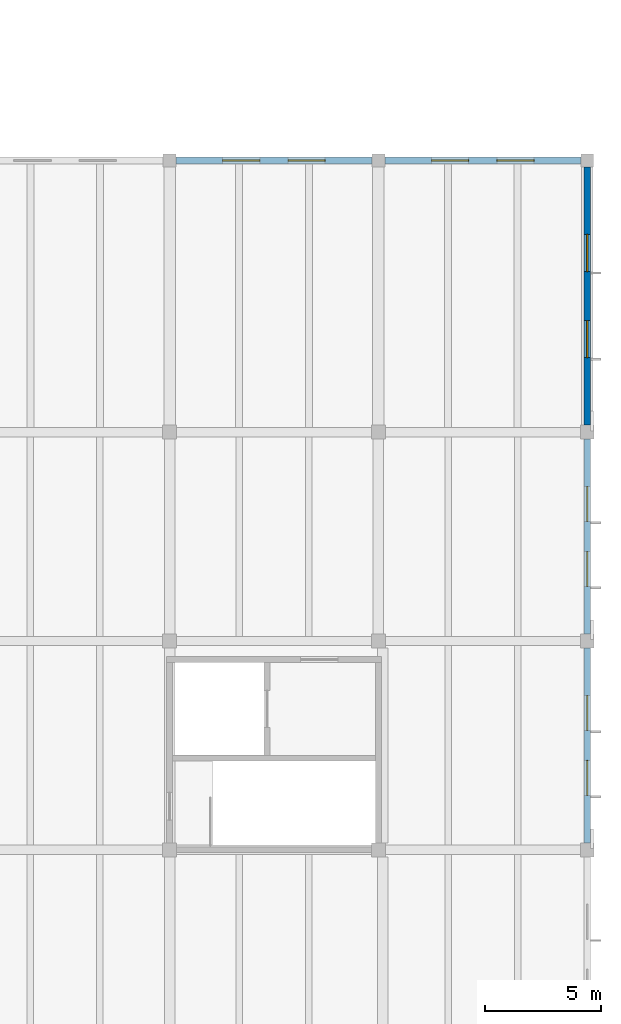
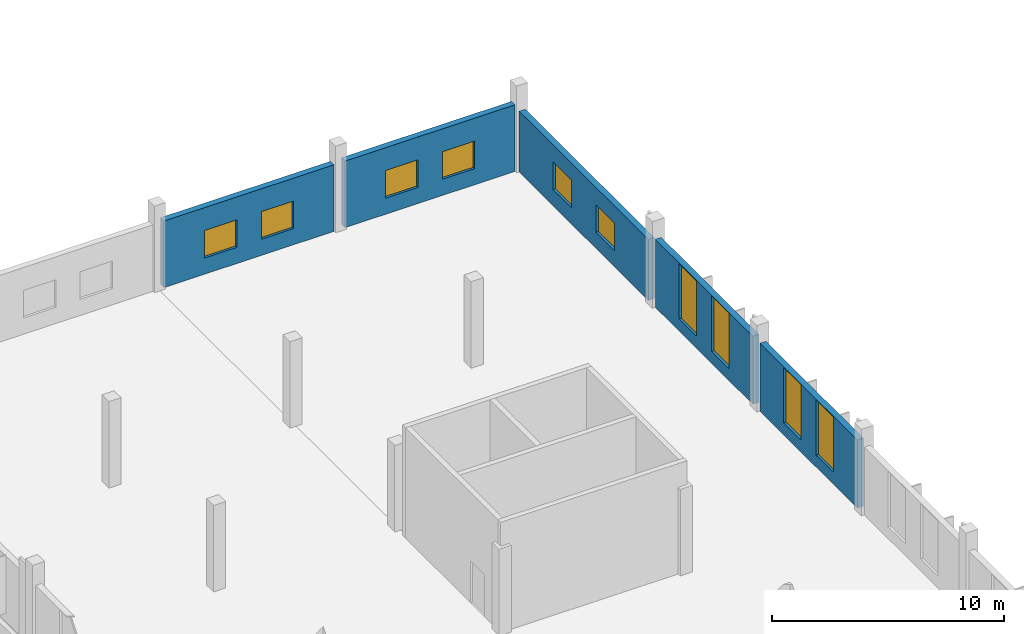
# One storey, part 16 of 25: 10 windows, 5 walls, 10 openings.
"""IFC4 building model written with IfcOpenShell, lengths in metres."""

from ifc_helpers import new_model, si_unit, direction, frame, frame_2d, origin, place, context, subcontext, project, spatial, rectangle, extrude, material, layer, layer_set, type_object, element, fill, save


model = new_model("IFC4")

# Units and contexts
model_context = context("Model", 3, precision=1e-05, world=origin(), true_north=direction((0.0, 1.0)))
body_context = subcontext(model_context, "Body", "Model", "MODEL_VIEW")
ifc_project = project(units=[si_unit("LENGTHUNIT", "METRE"), si_unit("AREAUNIT", "SQUARE_METRE"), si_unit("VOLUMEUNIT", "CUBIC_METRE"), si_unit("PLANEANGLEUNIT", "RADIAN"), si_unit("MASSUNIT", "GRAM", prefix="KILO")], contexts=[model_context])

# Site, building, storey
site_placement = place(None, origin())
site = spatial("IfcSite", under=ifc_project, at=site_placement, CompositionType="ELEMENT")
building_placement = place(site_placement, origin())
building = spatial("IfcBuilding", under=site, at=building_placement, Name="Zacnel Wholesale Market", CompositionType="ELEMENT")
storey_placement = place(building_placement, frame((0.0, 0.0, 15.75)))
storey = spatial("IfcBuildingStorey", under=building, at=storey_placement, Name="L04", CompositionType="ELEMENT", Elevation=15.75)

# Wall, openings, windows
ifc_material_1 = material(Name="Precast concrete C40/50 (Cancun limestone aggregate)", Category="masonry")
ifc_layer = layer(ifc_material_1, 0.300048828125)
ifc_layer_set = layer_set([ifc_layer], Name="Precast concrete C40/50 (Cancun limestone aggregate)")
wall_type = type_object("IfcWallType", Name="WL-EXT-LIME-300", PredefinedType="SOLIDWALL", material=ifc_layer_set)
wall_1_placement = place(storey_placement, frame((198.27490234375, 95.699951171875, 0.0), z_axis=(0.0, 0.0, 1.0), x_axis=(1.0, 0.0, 0.0)))
wall_1 = element("IfcWall", 1, at=wall_1_placement, inside=storey, type_object=wall_type, Name="Exterior wall L04-0506", PredefinedType="SOLIDWALL", context=body_context, shape_type="SweptSolid", body=[
    extrude(rectangle(XDim=8.4501953125, YDim=0.300048828125, at=frame_2d((4.22509765625, 0.0))), origin(), (0.0, 0.0, 1.0), 3.5),
])
opening_1_placement = place(wall_1_placement, frame((2.01708984375, 0.0, 0.85009765625)))
opening_1 = element("IfcOpeningElement", 2, at=opening_1_placement, cuts=wall_1, Name="Opening W-06", PredefinedType="OPENING", context=body_context, shape_type="SweptSolid", body=[
    extrude(rectangle(XDim=1.60009765625, YDim=1.449951171875, at=frame_2d((0.800048828125, 0.72509765625))), frame((0.0, 0.159912109375, 0.0), z_axis=(0.0, -1.0, 0.0), x_axis=(1.0, 0.0, 0.0)), (0.0, 0.0, 1.0), 0.320068359375),
])
opening_2_placement = place(wall_1_placement, frame((4.8330078125, 0.0, 0.85009765625)))
opening_2 = element("IfcOpeningElement", 3, at=opening_2_placement, cuts=wall_1, Name="Opening W-06", PredefinedType="OPENING", context=body_context, shape_type="SweptSolid", body=[
    extrude(rectangle(XDim=1.60009765625, YDim=1.449951171875, at=frame_2d((0.800048828125, 0.72509765625))), frame((0.0, 0.159912109375, 0.0), z_axis=(0.0, -1.0, 0.0), x_axis=(1.0, 0.0, 0.0)), (0.0, 0.0, 1.0), 0.320068359375),
])
ifc_material_2 = material(Name="Laminated hurricane-impact low-E insulated glass", Category="glass")
window_type_1 = type_object("IfcWindowType", Name="WIN-HIG-1600X1450", PartitioningType="DOUBLE_PANEL_HORIZONTAL", PredefinedType="WINDOW", material=ifc_material_2)
window_1_placement = place(opening_1_placement, origin())
window_1 = element("IfcWindow", 4, at=window_1_placement, inside=storey, type_object=window_type_1, Name="Window L04-0552", OverallHeight=1.449951171875, OverallWidth=1.60009765625, PartitioningType="DOUBLE_PANEL_HORIZONTAL", PredefinedType="WINDOW", context=body_context, shape_type="SweptSolid", body=[
    extrude(rectangle(XDim=1.60009765625, YDim=1.449951171875, at=frame_2d((0.800048828125, 0.72509765625))), frame((0.0, 0.030029296875, 0.0), z_axis=(0.0, -1.0, 0.0), x_axis=(1.0, 0.0, 0.0)), (0.0, 0.0, 1.0), 0.06005859375),
])
fill(opening_1, window_1)
window_2_placement = place(opening_2_placement, origin())
window_2 = element("IfcWindow", 5, at=window_2_placement, inside=storey, type_object=window_type_1, Name="Window L04-0553", OverallHeight=1.449951171875, OverallWidth=1.60009765625, PartitioningType="DOUBLE_PANEL_HORIZONTAL", PredefinedType="WINDOW", context=body_context, shape_type="SweptSolid", body=[
    extrude(rectangle(XDim=1.60009765625, YDim=1.449951171875, at=frame_2d((0.800048828125, 0.72509765625))), frame((0.0, 0.030029296875, 0.0), z_axis=(0.0, -1.0, 0.0), x_axis=(1.0, 0.0, 0.0)), (0.0, 0.0, 1.0), 0.06005859375),
])
fill(opening_2, window_2)

wall_2_placement = place(storey_placement, frame((207.27490234375, 95.699951171875, 0.0), z_axis=(0.0, 0.0, 1.0), x_axis=(1.0, 0.0, 0.0)))
wall_2 = element("IfcWall", 6, at=wall_2_placement, inside=storey, type_object=wall_type, Name="Exterior wall L04-0507", PredefinedType="SOLIDWALL", context=body_context, shape_type="SweptSolid", body=[
    extrude(rectangle(XDim=8.4501953125, YDim=0.300048828125, at=frame_2d((4.22509765625, 0.0))), origin(), (0.0, 0.0, 1.0), 3.5),
])
opening_3_placement = place(wall_2_placement, frame((2.01708984375, 0.0, 0.85009765625)))
opening_3 = element("IfcOpeningElement", 7, at=opening_3_placement, cuts=wall_2, Name="Opening W-06", PredefinedType="OPENING", context=body_context, shape_type="SweptSolid", body=[
    extrude(rectangle(XDim=1.60009765625, YDim=1.449951171875, at=frame_2d((0.800048828125, 0.72509765625))), frame((0.0, 0.159912109375, 0.0), z_axis=(0.0, -1.0, 0.0), x_axis=(1.0, 0.0, 0.0)), (0.0, 0.0, 1.0), 0.320068359375),
])
opening_4_placement = place(wall_2_placement, frame((4.8330078125, 0.0, 0.85009765625)))
opening_4 = element("IfcOpeningElement", 8, at=opening_4_placement, cuts=wall_2, Name="Opening W-06", PredefinedType="OPENING", context=body_context, shape_type="SweptSolid", body=[
    extrude(rectangle(XDim=1.60009765625, YDim=1.449951171875, at=frame_2d((0.800048828125, 0.72509765625))), frame((0.0, 0.159912109375, 0.0), z_axis=(0.0, -1.0, 0.0), x_axis=(1.0, 0.0, 0.0)), (0.0, 0.0, 1.0), 0.320068359375),
])
window_3_placement = place(opening_3_placement, origin())
window_3 = element("IfcWindow", 9, at=window_3_placement, inside=storey, type_object=window_type_1, Name="Window L04-0554", OverallHeight=1.449951171875, OverallWidth=1.60009765625, PartitioningType="DOUBLE_PANEL_HORIZONTAL", PredefinedType="WINDOW", context=body_context, shape_type="SweptSolid", body=[
    extrude(rectangle(XDim=1.60009765625, YDim=1.449951171875, at=frame_2d((0.800048828125, 0.72509765625))), frame((0.0, 0.030029296875, 0.0), z_axis=(0.0, -1.0, 0.0), x_axis=(1.0, 0.0, 0.0)), (0.0, 0.0, 1.0), 0.06005859375),
])
fill(opening_3, window_3)
window_4_placement = place(opening_4_placement, origin())
window_4 = element("IfcWindow", 10, at=window_4_placement, inside=storey, type_object=window_type_1, Name="Window L04-0555", OverallHeight=1.449951171875, OverallWidth=1.60009765625, PartitioningType="DOUBLE_PANEL_HORIZONTAL", PredefinedType="WINDOW", context=body_context, shape_type="SweptSolid", body=[
    extrude(rectangle(XDim=1.60009765625, YDim=1.449951171875, at=frame_2d((0.800048828125, 0.72509765625))), frame((0.0, 0.030029296875, 0.0), z_axis=(0.0, -1.0, 0.0), x_axis=(1.0, 0.0, 0.0)), (0.0, 0.0, 1.0), 0.06005859375),
])
fill(opening_4, window_4)

wall_3_placement = place(storey_placement, frame((216.0, 66.300048828125, 0.0), z_axis=(0.0, 0.0, 1.0), x_axis=(0.0, 1.0, 0.0)))
wall_3 = element("IfcWall", 11, at=wall_3_placement, inside=storey, type_object=wall_type, Name="Exterior wall L04-0515", PredefinedType="SOLIDWALL", context=body_context, shape_type="SweptSolid", body=[
    extrude(rectangle(XDim=8.39990234375, YDim=0.300048828125, at=frame_2d((4.199951171875, 0.0))), origin(), (0.0, 0.0, 1.0), 3.570068359375),
])
opening_5_placement = place(wall_3_placement, frame((2.050048828125, 0.0, 0.6298828125)))
opening_5 = element("IfcOpeningElement", 12, at=opening_5_placement, cuts=wall_3, Name="Opening W-04", PredefinedType="OPENING", context=body_context, shape_type="SweptSolid", body=[
    extrude(rectangle(XDim=1.5, YDim=2.89990234375, at=frame_2d((0.75, 1.449951171875))), frame((0.0, 0.159912109375, 0.0), z_axis=(0.0, -1.0, 0.0), x_axis=(1.0, 0.0, 0.0)), (0.0, 0.0, 1.0), 0.320068359375),
])
opening_6_placement = place(wall_3_placement, frame((4.85009765625, 0.0, 0.6298828125)))
opening_6 = element("IfcOpeningElement", 13, at=opening_6_placement, cuts=wall_3, Name="Opening W-04", PredefinedType="OPENING", context=body_context, shape_type="SweptSolid", body=[
    extrude(rectangle(XDim=1.5, YDim=2.89990234375, at=frame_2d((0.75, 1.449951171875))), frame((0.0, 0.159912109375, 0.0), z_axis=(0.0, -1.0, 0.0), x_axis=(1.0, 0.0, 0.0)), (0.0, 0.0, 1.0), 0.320068359375),
])
ifc_material_3 = material(Name="Laminated hurricane-impact low-E insulated glass", Category="glass")
window_type_2 = type_object("IfcWindowType", Name="WIN-DEC-1500X2900", PartitioningType="DOUBLE_PANEL_VERTICAL", PredefinedType="WINDOW", material=ifc_material_3)
window_5_placement = place(opening_5_placement, origin())
window_5 = element("IfcWindow", 14, at=window_5_placement, inside=storey, type_object=window_type_2, Name="Window L04-0570", OverallHeight=2.89990234375, OverallWidth=1.5, PartitioningType="DOUBLE_PANEL_VERTICAL", PredefinedType="WINDOW", context=body_context, shape_type="SweptSolid", body=[
    extrude(rectangle(XDim=1.5, YDim=2.89990234375, at=frame_2d((0.75, 1.449951171875))), frame((0.0, 0.030029296875, 0.0), z_axis=(0.0, -1.0, 0.0), x_axis=(1.0, 0.0, 0.0)), (0.0, 0.0, 1.0), 0.06005859375),
])
fill(opening_5, window_5)
window_6_placement = place(opening_6_placement, origin())
window_6 = element("IfcWindow", 15, at=window_6_placement, inside=storey, type_object=window_type_2, Name="Window L04-0571", OverallHeight=2.89990234375, OverallWidth=1.5, PartitioningType="DOUBLE_PANEL_VERTICAL", PredefinedType="WINDOW", context=body_context, shape_type="SweptSolid", body=[
    extrude(rectangle(XDim=1.5, YDim=2.89990234375, at=frame_2d((0.75, 1.449951171875))), frame((0.0, 0.030029296875, 0.0), z_axis=(0.0, -1.0, 0.0), x_axis=(1.0, 0.0, 0.0)), (0.0, 0.0, 1.0), 0.06005859375),
])
fill(opening_6, window_6)

wall_4_placement = place(storey_placement, frame((216.0, 75.300048828125, 0.0), z_axis=(0.0, 0.0, 1.0), x_axis=(0.0, 1.0, 0.0)))
wall_4 = element("IfcWall", 16, at=wall_4_placement, inside=storey, type_object=wall_type, Name="Exterior wall L04-0516", PredefinedType="SOLIDWALL", context=body_context, shape_type="SweptSolid", body=[
    extrude(rectangle(XDim=8.39990234375, YDim=0.300048828125, at=frame_2d((4.199951171875, 0.0))), origin(), (0.0, 0.0, 1.0), 3.570068359375),
])
opening_7_placement = place(wall_4_placement, frame((2.050048828125, 0.0, 0.6298828125)))
opening_7 = element("IfcOpeningElement", 17, at=opening_7_placement, cuts=wall_4, Name="Opening W-04", PredefinedType="OPENING", context=body_context, shape_type="SweptSolid", body=[
    extrude(rectangle(XDim=1.5, YDim=2.89990234375, at=frame_2d((0.75, 1.449951171875))), frame((0.0, 0.159912109375, 0.0), z_axis=(0.0, -1.0, 0.0), x_axis=(1.0, 0.0, 0.0)), (0.0, 0.0, 1.0), 0.320068359375),
])
opening_8_placement = place(wall_4_placement, frame((4.85009765625, 0.0, 0.6298828125)))
opening_8 = element("IfcOpeningElement", 18, at=opening_8_placement, cuts=wall_4, Name="Opening W-04", PredefinedType="OPENING", context=body_context, shape_type="SweptSolid", body=[
    extrude(rectangle(XDim=1.5, YDim=2.89990234375, at=frame_2d((0.75, 1.449951171875))), frame((0.0, 0.159912109375, 0.0), z_axis=(0.0, -1.0, 0.0), x_axis=(1.0, 0.0, 0.0)), (0.0, 0.0, 1.0), 0.320068359375),
])
window_7_placement = place(opening_7_placement, origin())
window_7 = element("IfcWindow", 19, at=window_7_placement, inside=storey, type_object=window_type_2, Name="Window L04-0572", OverallHeight=2.89990234375, OverallWidth=1.5, PartitioningType="DOUBLE_PANEL_VERTICAL", PredefinedType="WINDOW", context=body_context, shape_type="SweptSolid", body=[
    extrude(rectangle(XDim=1.5, YDim=2.89990234375, at=frame_2d((0.75, 1.449951171875))), frame((0.0, 0.030029296875, 0.0), z_axis=(0.0, -1.0, 0.0), x_axis=(1.0, 0.0, 0.0)), (0.0, 0.0, 1.0), 0.06005859375),
])
fill(opening_7, window_7)
window_8_placement = place(opening_8_placement, origin())
window_8 = element("IfcWindow", 20, at=window_8_placement, inside=storey, type_object=window_type_2, Name="Window L04-0573", OverallHeight=2.89990234375, OverallWidth=1.5, PartitioningType="DOUBLE_PANEL_VERTICAL", PredefinedType="WINDOW", context=body_context, shape_type="SweptSolid", body=[
    extrude(rectangle(XDim=1.5, YDim=2.89990234375, at=frame_2d((0.75, 1.449951171875))), frame((0.0, 0.030029296875, 0.0), z_axis=(0.0, -1.0, 0.0), x_axis=(1.0, 0.0, 0.0)), (0.0, 0.0, 1.0), 0.06005859375),
])
fill(opening_8, window_8)

wall_5_placement = place(storey_placement, frame((216.0, 84.300048828125, 0.0), z_axis=(0.0, 0.0, 1.0), x_axis=(0.0, 1.0, 0.0)))
wall_5 = element("IfcWall", 21, at=wall_5_placement, inside=storey, type_object=wall_type, Name="Exterior wall L04-0517", PredefinedType="SOLIDWALL", context=body_context, shape_type="SweptSolid", body=[
    extrude(rectangle(XDim=11.125, YDim=0.300048828125, at=frame_2d((5.5625, 0.0))), origin(), (0.0, 0.0, 1.0), 3.199951171875),
])
opening_9_placement = place(wall_5_placement, frame((2.907958984375, 0.0, 0.85009765625)))
opening_9 = element("IfcOpeningElement", 22, at=opening_9_placement, cuts=wall_5, Name="Opening W-06", PredefinedType="OPENING", context=body_context, shape_type="SweptSolid", body=[
    extrude(rectangle(XDim=1.60009765625, YDim=1.449951171875, at=frame_2d((0.800048828125, 0.72509765625))), frame((0.0, 0.159912109375, 0.0), z_axis=(0.0, -1.0, 0.0), x_axis=(1.0, 0.0, 0.0)), (0.0, 0.0, 1.0), 0.320068359375),
])
opening_10_placement = place(wall_5_placement, frame((6.616943359375, 0.0, 0.85009765625)))
opening_10 = element("IfcOpeningElement", 23, at=opening_10_placement, cuts=wall_5, Name="Opening W-06", PredefinedType="OPENING", context=body_context, shape_type="SweptSolid", body=[
    extrude(rectangle(XDim=1.60009765625, YDim=1.449951171875, at=frame_2d((0.800048828125, 0.72509765625))), frame((0.0, 0.159912109375, 0.0), z_axis=(0.0, -1.0, 0.0), x_axis=(1.0, 0.0, 0.0)), (0.0, 0.0, 1.0), 0.320068359375),
])
window_9_placement = place(opening_9_placement, origin())
window_9 = element("IfcWindow", 24, at=window_9_placement, inside=storey, type_object=window_type_1, Name="Window L04-0574", OverallHeight=1.449951171875, OverallWidth=1.60009765625, PartitioningType="DOUBLE_PANEL_HORIZONTAL", PredefinedType="WINDOW", context=body_context, shape_type="SweptSolid", body=[
    extrude(rectangle(XDim=1.60009765625, YDim=1.449951171875, at=frame_2d((0.800048828125, 0.72509765625))), frame((0.0, 0.030029296875, 0.0), z_axis=(0.0, -1.0, 0.0), x_axis=(1.0, 0.0, 0.0)), (0.0, 0.0, 1.0), 0.06005859375),
])
fill(opening_9, window_9)
window_10_placement = place(opening_10_placement, origin())
window_10 = element("IfcWindow", 25, at=window_10_placement, inside=storey, type_object=window_type_1, Name="Window L04-0575", OverallHeight=1.449951171875, OverallWidth=1.60009765625, PartitioningType="DOUBLE_PANEL_HORIZONTAL", PredefinedType="WINDOW", context=body_context, shape_type="SweptSolid", body=[
    extrude(rectangle(XDim=1.60009765625, YDim=1.449951171875, at=frame_2d((0.800048828125, 0.72509765625))), frame((0.0, 0.030029296875, 0.0), z_axis=(0.0, -1.0, 0.0), x_axis=(1.0, 0.0, 0.0)), (0.0, 0.0, 1.0), 0.06005859375),
])
fill(opening_10, window_10)

save(model, "model.ifc")
